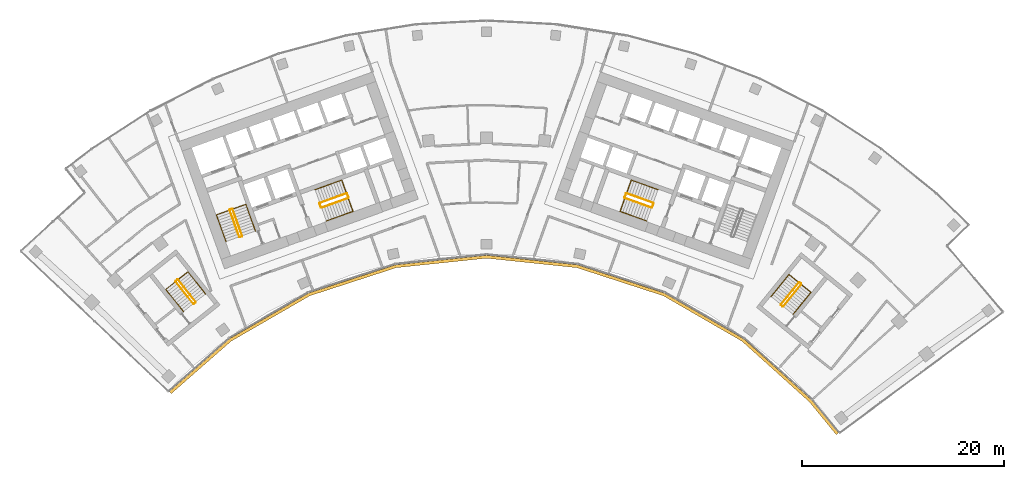
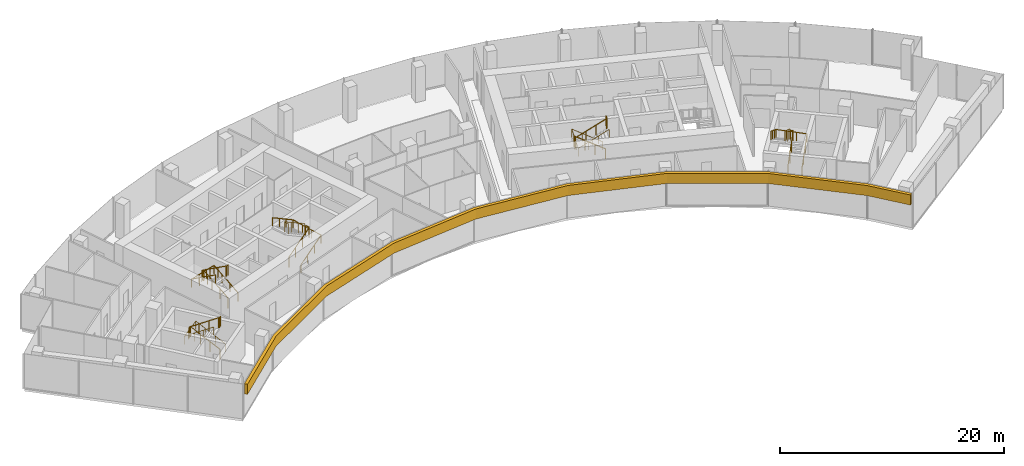
# One storey, part 18 of 19: 15 railings, 1 covering.
"""IFC4 building model written with IfcOpenShell, lengths in metres."""

from ifc_helpers import new_model, si_unit, direction, frame, origin, origin_2d, place, context, subcontext, project, spatial, polyline, circle, outline, extrude, material, layer, layer_set, type_object, element, save


model = new_model("IFC4")

# Units and contexts
model_context = context("Model", 3, precision=1e-05, world=origin(), true_north=direction((0.0, 1.0)))
body_context = subcontext(model_context, "Body", "Model", "MODEL_VIEW")
ifc_project = project(units=[si_unit("LENGTHUNIT", "METRE"), si_unit("AREAUNIT", "SQUARE_METRE"), si_unit("VOLUMEUNIT", "CUBIC_METRE"), si_unit("PLANEANGLEUNIT", "RADIAN"), si_unit("MASSUNIT", "GRAM", prefix="KILO")], contexts=[model_context])

# Site, building, storey
site_placement = place(None, origin())
site = spatial("IfcSite", under=ifc_project, at=site_placement, CompositionType="ELEMENT")
building_placement = place(site_placement, origin())
building = spatial("IfcBuilding", under=site, at=building_placement, Name="Stone Belt Terrace Tower", CompositionType="ELEMENT")
storey_placement = place(building_placement, frame((0.0, 0.0, 204.800048828125)))
storey = spatial("IfcBuildingStorey", under=building, at=storey_placement, Name="L49", CompositionType="ELEMENT", Elevation=204.800048828125)

# Railings
ifc_material_1 = material(Name="Structural steel C345", Category="steel")
railing_type_1 = type_object("IfcRailingType", Name="Stair guard 1100", PredefinedType="GUARDRAIL", material=ifc_material_1)
railing_1_placement = place(storey_placement, frame((-24.2119140625, 45.276123046875, 0.172607421875)))
element("IfcRailing", 1, at=railing_1_placement, inside=storey, type_object=railing_type_1, Name="L49 ST1A stair guard 1", PredefinedType="GUARDRAIL", context=body_context, shape_type="SweptSolid", body=[
    extrude(circle(Radius=0.02392578125, at=origin_2d()), frame((0.0, 0.0, 1.076171875), z_axis=(-0.288228637646, 0.800791768495, 0.525030280985), x_axis=(-0.940908529223, -0.338660803216, 0.0)), (0.0, 0.0, 1.0), 3.289794921875),
    extrude(circle(Radius=0.02392578125, at=origin_2d()), frame((-0.9482421875, 2.634521484375, 2.80322265625), z_axis=(-0.905209821074, 0.424964916, 0.0), x_axis=(-0.424964916, -0.905209821074, 0.0)), (0.0, 0.0, 1.0), 0.070556640625),
    extrude(circle(Radius=0.02392578125, at=origin_2d()), frame((-1.01220703125, 2.66455078125, 2.80322265625), z_axis=(-0.941105063269, -0.338114270461, 0.0), x_axis=(0.338114270461, -0.941105063269, 0.0)), (0.0, 0.0, 1.0), 0.199951171875),
    extrude(circle(Radius=0.02099609375, at=origin_2d()), origin(), (0.0, 0.0, 1.0), 1.052001953125),
    extrude(circle(Radius=0.02099609375, at=origin_2d()), frame((-0.316162109375, 0.878173828125, 0.57568359375)), (0.0, 0.0, 1.0), 1.052001953125),
    extrude(circle(Radius=0.02099609375, at=origin_2d()), frame((-0.632080078125, 1.75634765625, 1.151611328125)), (0.0, 0.0, 1.0), 1.052001953125),
    extrude(circle(Radius=0.02099609375, at=origin_2d()), frame((-0.9482421875, 2.634521484375, 1.727294921875)), (0.0, 0.0, 1.0), 1.052001953125),
    extrude(circle(Radius=0.02099609375, at=origin_2d()), frame((-1.01220703125, 2.66455078125, 1.727294921875)), (0.0, 0.0, 1.0), 1.052001953125),
    extrude(circle(Radius=0.02099609375, at=origin_2d()), frame((-1.200439453125, 2.596923828125, 1.727294921875)), (0.0, 0.0, 1.0), 1.052001953125),
])
railing_2_placement = place(storey_placement, frame((-25.4423828125, 47.80908203125, 2.07275390625)))
element("IfcRailing", 2, at=railing_2_placement, inside=storey, type_object=railing_type_1, Name="L49 ST1A stair guard 2", PredefinedType="GUARDRAIL", context=body_context, shape_type="SweptSolid", body=[
    extrude(circle(Radius=0.02392578125, at=origin_2d()), frame((0.0, 0.0, 1.076171875), z_axis=(0.288228637646, -0.800791768495, 0.525030280985), x_axis=(0.940908529223, 0.338660803216, 0.0)), (0.0, 0.0, 1.0), 3.289794921875),
    extrude(circle(Radius=0.02392578125, at=origin_2d()), frame((0.9482421875, -2.634521484375, 2.80322265625), z_axis=(0.903878284585, -0.427789722475, 0.0), x_axis=(0.427789722475, 0.903878284585, 0.0)), (0.0, 0.0, 1.0), 0.07080078125),
    extrude(circle(Radius=0.02392578125, at=origin_2d()), frame((1.01220703125, -2.664794921875, 2.80322265625), z_axis=(0.940575576748, 0.339584429008, 0.0), x_axis=(-0.339584429008, 0.940575576748, 0.0)), (0.0, 0.0, 1.0), 0.199951171875),
    extrude(circle(Radius=0.02099609375, at=origin_2d()), origin(), (0.0, 0.0, 1.0), 1.052001953125),
    extrude(circle(Radius=0.02099609375, at=origin_2d()), frame((0.316162109375, -0.878173828125, 0.57568359375)), (0.0, 0.0, 1.0), 1.052001953125),
    extrude(circle(Radius=0.02099609375, at=origin_2d()), frame((0.632080078125, -1.75634765625, 1.151611328125)), (0.0, 0.0, 1.0), 1.052001953125),
    extrude(circle(Radius=0.02099609375, at=origin_2d()), frame((0.9482421875, -2.634521484375, 1.727294921875)), (0.0, 0.0, 1.0), 1.052001953125),
    extrude(circle(Radius=0.02099609375, at=origin_2d()), frame((1.01220703125, -2.664794921875, 1.727294921875)), (0.0, 0.0, 1.0), 1.052001953125),
    extrude(circle(Radius=0.02099609375, at=origin_2d()), frame((1.2001953125, -2.596923828125, 1.727294921875)), (0.0, 0.0, 1.0), 1.052001953125),
])
railing_3_placement = place(storey_placement, frame((-16.33837890625, 48.056640625, 0.172607421875)))
element("IfcRailing", 3, at=railing_3_placement, inside=storey, type_object=railing_type_1, Name="L49 ST2A stair guard 1", PredefinedType="GUARDRAIL", context=body_context, shape_type="SweptSolid", body=[
    extrude(circle(Radius=0.02392578125, at=origin_2d()), frame((0.0, 0.0, 1.076171875), z_axis=(0.800808895155, 0.288160591223, 0.52504150989), x_axis=(-0.338583606334, 0.940936311087, 0.0)), (0.0, 0.0, 1.0), 3.289794921875),
    extrude(circle(Radius=0.02392578125, at=origin_2d()), frame((2.634521484375, 0.947998046875, 2.80322265625), z_axis=(0.427789722475, 0.903878284585, 0.0), x_axis=(-0.903878284585, 0.427789722475, 0.0)), (0.0, 0.0, 1.0), 0.07080078125),
    extrude(circle(Radius=0.02392578125, at=origin_2d()), frame((2.664794921875, 1.011962890625, 2.80322265625), z_axis=(-0.338654645739, 0.940910745459, 0.0), x_axis=(-0.940910745459, -0.338654645739, 0.0)), (0.0, 0.0, 1.0), 0.400146484375),
    extrude(circle(Radius=0.02099609375, at=origin_2d()), origin(), (0.0, 0.0, 1.0), 1.052001953125),
    extrude(circle(Radius=0.02099609375, at=origin_2d()), frame((0.878173828125, 0.31591796875, 0.57568359375)), (0.0, 0.0, 1.0), 1.052001953125),
    extrude(circle(Radius=0.02099609375, at=origin_2d()), frame((1.75634765625, 0.632080078125, 1.151611328125)), (0.0, 0.0, 1.0), 1.052001953125),
    extrude(circle(Radius=0.02099609375, at=origin_2d()), frame((2.634521484375, 0.947998046875, 1.727294921875)), (0.0, 0.0, 1.0), 1.052001953125),
    extrude(circle(Radius=0.02099609375, at=origin_2d()), frame((2.664794921875, 1.011962890625, 1.727294921875)), (0.0, 0.0, 1.0), 1.052001953125),
    extrude(circle(Radius=0.02099609375, at=origin_2d()), frame((2.529296875, 1.388427734375, 1.727294921875)), (0.0, 0.0, 1.0), 1.052001953125),
])
railing_4_placement = place(storey_placement, frame((-13.873046875, 49.47509765625, 2.07275390625)))
element("IfcRailing", 4, at=railing_4_placement, inside=storey, type_object=railing_type_1, Name="L49 ST2A stair guard 2", PredefinedType="GUARDRAIL", context=body_context, shape_type="SweptSolid", body=[
    extrude(circle(Radius=0.02392578125, at=origin_2d()), frame((0.0, 0.0, 1.076171875), z_axis=(-0.800808895155, -0.288160591223, 0.52504150989), x_axis=(0.338583606334, -0.940936311087, 0.0)), (0.0, 0.0, 1.0), 3.289794921875),
    extrude(circle(Radius=0.02392578125, at=origin_2d()), frame((-2.634521484375, -0.947998046875, 2.80322265625), z_axis=(-0.427789722475, -0.903878284585, 0.0), x_axis=(0.903878284585, -0.427789722475, 0.0)), (0.0, 0.0, 1.0), 0.07080078125),
    extrude(circle(Radius=0.02392578125, at=origin_2d()), frame((-2.664794921875, -1.011962890625, 2.80322265625), z_axis=(0.338654645739, -0.940910745459, 0.0), x_axis=(0.940910745459, 0.338654645739, 0.0)), (0.0, 0.0, 1.0), 0.400146484375),
    extrude(circle(Radius=0.02099609375, at=origin_2d()), origin(), (0.0, 0.0, 1.0), 1.052001953125),
    extrude(circle(Radius=0.02099609375, at=origin_2d()), frame((-0.878173828125, -0.31591796875, 0.57568359375)), (0.0, 0.0, 1.0), 1.052001953125),
    extrude(circle(Radius=0.02099609375, at=origin_2d()), frame((-1.75634765625, -0.632080078125, 1.151611328125)), (0.0, 0.0, 1.0), 1.052001953125),
    extrude(circle(Radius=0.02099609375, at=origin_2d()), frame((-2.634521484375, -0.947998046875, 1.727294921875)), (0.0, 0.0, 1.0), 1.052001953125),
    extrude(circle(Radius=0.02099609375, at=origin_2d()), frame((-2.664794921875, -1.011962890625, 1.727294921875)), (0.0, 0.0, 1.0), 1.052001953125),
    extrude(circle(Radius=0.02099609375, at=origin_2d()), frame((-2.529296875, -1.388427734375, 1.727294921875)), (0.0, 0.0, 1.0), 1.052001953125),
])
railing_5_placement = place(storey_placement, frame((16.507568359375, 48.527099609375, 0.172607421875)))
element("IfcRailing", 5, at=railing_5_placement, inside=storey, type_object=railing_type_1, Name="L49 ST2B stair guard 1", PredefinedType="GUARDRAIL", context=body_context, shape_type="SweptSolid", body=[
    extrude(circle(Radius=0.02392578125, at=origin_2d()), frame((0.0, 0.0, 1.076171875), z_axis=(-0.800808895155, 0.288160591223, 0.52504150989), x_axis=(-0.338583606334, -0.940936311087, 0.0)), (0.0, 0.0, 1.0), 3.289794921875),
    extrude(circle(Radius=0.02392578125, at=origin_2d()), frame((-2.634521484375, 0.947998046875, 2.80322265625), z_axis=(-0.905209821074, -0.424964916, 0.0), x_axis=(0.424964916, -0.905209821074, 0.0)), (0.0, 0.0, 1.0), 0.070556640625),
    extrude(circle(Radius=0.02392578125, at=origin_2d()), frame((-2.698486328125, 0.91796875, 2.80322265625), z_axis=(-0.338654645739, -0.940910745459, 0.0), x_axis=(0.940910745459, -0.338654645739, 0.0)), (0.0, 0.0, 1.0), 0.400146484375),
    extrude(circle(Radius=0.02099609375, at=origin_2d()), origin(), (0.0, 0.0, 1.0), 1.052001953125),
    extrude(circle(Radius=0.02099609375, at=origin_2d()), frame((-0.878173828125, 0.31591796875, 0.57568359375)), (0.0, 0.0, 1.0), 1.052001953125),
    extrude(circle(Radius=0.02099609375, at=origin_2d()), frame((-1.75634765625, 0.632080078125, 1.151611328125)), (0.0, 0.0, 1.0), 1.052001953125),
    extrude(circle(Radius=0.02099609375, at=origin_2d()), frame((-2.634521484375, 0.947998046875, 1.727294921875)), (0.0, 0.0, 1.0), 1.052001953125),
    extrude(circle(Radius=0.02099609375, at=origin_2d()), frame((-2.698486328125, 0.91796875, 1.727294921875)), (0.0, 0.0, 1.0), 1.052001953125),
    extrude(circle(Radius=0.02099609375, at=origin_2d()), frame((-2.833984375, 0.54150390625, 1.727294921875)), (0.0, 0.0, 1.0), 1.052001953125),
])
railing_6_placement = place(storey_placement, frame((13.703857421875, 49.004638671875, 2.07275390625)))
element("IfcRailing", 6, at=railing_6_placement, inside=storey, type_object=railing_type_1, Name="L49 ST2B stair guard 2", PredefinedType="GUARDRAIL", context=body_context, shape_type="SweptSolid", body=[
    extrude(circle(Radius=0.02392578125, at=origin_2d()), frame((0.0, 0.0, 1.076171875), z_axis=(0.800808895155, -0.288160591223, 0.52504150989), x_axis=(0.338583606334, 0.940936311087, 0.0)), (0.0, 0.0, 1.0), 3.289794921875),
    extrude(circle(Radius=0.02392578125, at=origin_2d()), frame((2.634521484375, -0.947998046875, 2.80322265625), z_axis=(0.905209821074, 0.424964916, 0.0), x_axis=(-0.424964916, 0.905209821074, 0.0)), (0.0, 0.0, 1.0), 0.070556640625),
    extrude(circle(Radius=0.02392578125, at=origin_2d()), frame((2.698486328125, -0.91796875, 2.80322265625), z_axis=(0.338654645739, 0.940910745459, 0.0), x_axis=(-0.940910745459, 0.338654645739, 0.0)), (0.0, 0.0, 1.0), 0.400146484375),
    extrude(circle(Radius=0.02099609375, at=origin_2d()), origin(), (0.0, 0.0, 1.0), 1.052001953125),
    extrude(circle(Radius=0.02099609375, at=origin_2d()), frame((0.878173828125, -0.31591796875, 0.57568359375)), (0.0, 0.0, 1.0), 1.052001953125),
    extrude(circle(Radius=0.02099609375, at=origin_2d()), frame((1.75634765625, -0.632080078125, 1.151611328125)), (0.0, 0.0, 1.0), 1.052001953125),
    extrude(circle(Radius=0.02099609375, at=origin_2d()), frame((2.634521484375, -0.947998046875, 1.727294921875)), (0.0, 0.0, 1.0), 1.052001953125),
    extrude(circle(Radius=0.02099609375, at=origin_2d()), frame((2.698486328125, -0.91796875, 1.727294921875)), (0.0, 0.0, 1.0), 1.052001953125),
    extrude(circle(Radius=0.02099609375, at=origin_2d()), frame((2.833984375, -0.54150390625, 1.727294921875)), (0.0, 0.0, 1.0), 1.052001953125),
])
railing_7_placement = place(storey_placement, frame((-28.814208984375, 38.734619140625, 0.172607421875)))
element("IfcRailing", 7, at=railing_7_placement, inside=storey, type_object=railing_type_1, Name="L49 ST3A stair guard 1", PredefinedType="GUARDRAIL", context=body_context, shape_type="SweptSolid", body=[
    extrude(circle(Radius=0.02392578125, at=origin_2d()), frame((0.0, 0.0, 1.076171875), z_axis=(-0.530306321799, 0.665665785969, 0.525037395288), x_axis=(-0.782143211408, -0.623098705543, 0.0)), (0.0, 0.0, 1.0), 3.289794921875),
    extrude(circle(Radius=0.02392578125, at=origin_2d()), frame((-1.74462890625, 2.18994140625, 2.80322265625), z_axis=(-0.993883734674, 0.110431526075, 0.0), x_axis=(-0.110431526075, -0.993883734674, 0.0)), (0.0, 0.0, 1.0), 0.07080078125),
    extrude(circle(Radius=0.02392578125, at=origin_2d()), frame((-1.81494140625, 2.19775390625, 2.80322265625), z_axis=(-0.782533463299, -0.622608527742, 0.0), x_axis=(0.622608527742, -0.782533463299, 0.0)), (0.0, 0.0, 1.0), 0.199951171875),
    extrude(circle(Radius=0.02099609375, at=origin_2d()), origin(), (0.0, 0.0, 1.0), 1.052001953125),
    extrude(circle(Radius=0.02099609375, at=origin_2d()), frame((-0.58154296875, 0.72998046875, 0.57568359375)), (0.0, 0.0, 1.0), 1.052001953125),
    extrude(circle(Radius=0.02099609375, at=origin_2d()), frame((-1.1630859375, 1.4599609375, 1.151611328125)), (0.0, 0.0, 1.0), 1.052001953125),
    extrude(circle(Radius=0.02099609375, at=origin_2d()), frame((-1.74462890625, 2.18994140625, 1.727294921875)), (0.0, 0.0, 1.0), 1.052001953125),
    extrude(circle(Radius=0.02099609375, at=origin_2d()), frame((-1.81494140625, 2.19775390625, 1.727294921875)), (0.0, 0.0, 1.0), 1.052001953125),
    extrude(circle(Radius=0.02099609375, at=origin_2d()), frame((-1.971435546875, 2.0732421875, 1.727294921875)), (0.0, 0.0, 1.0), 1.052001953125),
])
railing_8_placement = place(storey_placement, frame((-30.793701171875, 40.737548828125, 2.07275390625)))
element("IfcRailing", 8, at=railing_8_placement, inside=storey, type_object=railing_type_1, Name="L49 ST3A stair guard 2", PredefinedType="GUARDRAIL", context=body_context, shape_type="SweptSolid", body=[
    extrude(circle(Radius=0.02392578125, at=origin_2d()), frame((0.0, 0.0, 1.076171875), z_axis=(0.530359659125, -0.665639588968, 0.525016732659), x_axis=(0.782100716982, 0.62315204284, 0.0)), (0.0, 0.0, 1.0), 3.2900390625),
    extrude(circle(Radius=0.02392578125, at=origin_2d()), frame((1.744873046875, -2.18994140625, 2.80322265625), z_axis=(0.993499272973, -0.113838458361, 0.0), x_axis=(0.113838458361, 0.993499272973, 0.0)), (0.0, 0.0, 1.0), 0.07080078125),
    extrude(circle(Radius=0.02392578125, at=origin_2d()), frame((1.815185546875, -2.197998046875, 2.80322265625), z_axis=(0.781464082609, 0.623950228458, 0.0), x_axis=(-0.623950228458, 0.781464082609, 0.0)), (0.0, 0.0, 1.0), 0.199951171875),
    extrude(circle(Radius=0.02099609375, at=origin_2d()), origin(), (0.0, 0.0, 1.0), 1.052001953125),
    extrude(circle(Radius=0.02099609375, at=origin_2d()), frame((0.58154296875, -0.72998046875, 0.57568359375)), (0.0, 0.0, 1.0), 1.052001953125),
    extrude(circle(Radius=0.02099609375, at=origin_2d()), frame((1.163330078125, -1.4599609375, 1.151611328125)), (0.0, 0.0, 1.0), 1.052001953125),
    extrude(circle(Radius=0.02099609375, at=origin_2d()), frame((1.744873046875, -2.18994140625, 1.727294921875)), (0.0, 0.0, 1.0), 1.052001953125),
    extrude(circle(Radius=0.02099609375, at=origin_2d()), frame((1.815185546875, -2.197998046875, 1.727294921875)), (0.0, 0.0, 1.0), 1.052001953125),
    extrude(circle(Radius=0.02099609375, at=origin_2d()), frame((1.971435546875, -2.0732421875, 1.727294921875)), (0.0, 0.0, 1.0), 1.052001953125),
])
railing_9_placement = place(storey_placement, frame((29.39794921875, 38.281982421875, 0.172607421875)))
element("IfcRailing", 9, at=railing_9_placement, inside=storey, type_object=railing_type_1, Name="L49 ST3B stair guard 1", PredefinedType="GUARDRAIL", context=body_context, shape_type="SweptSolid", body=[
    extrude(circle(Radius=0.02392578125, at=origin_2d()), frame((0.0, 0.0, 1.076171875), z_axis=(0.536393061503, 0.660769759217, 0.525038864158), x_axis=(-0.776391310223, 0.630251166924, 0.0)), (0.0, 0.0, 1.0), 3.289794921875),
    extrude(circle(Radius=0.02392578125, at=origin_2d()), frame((1.7646484375, 2.173828125, 2.80322265625), z_axis=(-0.103251414163, 0.994655289773, 0.0), x_axis=(-0.994655289773, -0.103251414163, 0.0)), (0.0, 0.0, 1.0), 0.071044921875),
    extrude(circle(Radius=0.02392578125, at=origin_2d()), frame((1.75732421875, 2.244384765625, 2.80322265625), z_axis=(-0.776561986372, 0.630040856868, 0.0), x_axis=(-0.630040856868, -0.776561986372, 0.0)), (0.0, 0.0, 1.0), 0.199951171875),
    extrude(circle(Radius=0.02099609375, at=origin_2d()), origin(), (0.0, 0.0, 1.0), 1.052001953125),
    extrude(circle(Radius=0.02099609375, at=origin_2d()), frame((0.588134765625, 0.724609375, 0.57568359375)), (0.0, 0.0, 1.0), 1.052001953125),
    extrude(circle(Radius=0.02099609375, at=origin_2d()), frame((1.176513671875, 1.44921875, 1.151611328125)), (0.0, 0.0, 1.0), 1.052001953125),
    extrude(circle(Radius=0.02099609375, at=origin_2d()), frame((1.7646484375, 2.173828125, 1.727294921875)), (0.0, 0.0, 1.0), 1.052001953125),
    extrude(circle(Radius=0.02099609375, at=origin_2d()), frame((1.75732421875, 2.244384765625, 1.727294921875)), (0.0, 0.0, 1.0), 1.052001953125),
    extrude(circle(Radius=0.02099609375, at=origin_2d()), frame((1.60205078125, 2.370361328125, 1.727294921875)), (0.0, 0.0, 1.0), 1.052001953125),
])
railing_10_placement = place(storey_placement, frame((30.9296875, 40.64501953125, 2.07275390625)))
element("IfcRailing", 10, at=railing_10_placement, inside=storey, type_object=railing_type_1, Name="L49 ST3B stair guard 2", PredefinedType="GUARDRAIL", context=body_context, shape_type="SweptSolid", body=[
    extrude(circle(Radius=0.02392578125, at=origin_2d()), frame((0.0, 0.0, 1.076171875), z_axis=(-0.536366759382, -0.660811565066, 0.525013118792), x_axis=(0.776425942316, -0.630208502084, 0.0)), (0.0, 0.0, 1.0), 3.2900390625),
    extrude(circle(Radius=0.02392578125, at=origin_2d()), frame((-1.7646484375, -2.174072265625, 2.80322265625), z_axis=(0.103606084259, -0.994618408891, 0.0), x_axis=(0.994618408891, 0.103606084259, 0.0)), (0.0, 0.0, 1.0), 0.07080078125),
    extrude(circle(Radius=0.02392578125, at=origin_2d()), frame((-1.75732421875, -2.244384765625, 2.80322265625), z_axis=(0.776561986372, -0.630040856868, 0.0), x_axis=(0.630040856868, 0.776561986372, 0.0)), (0.0, 0.0, 1.0), 0.199951171875),
    extrude(circle(Radius=0.02099609375, at=origin_2d()), origin(), (0.0, 0.0, 1.0), 1.052001953125),
    extrude(circle(Radius=0.02099609375, at=origin_2d()), frame((-0.588134765625, -0.724609375, 0.57568359375)), (0.0, 0.0, 1.0), 1.052001953125),
    extrude(circle(Radius=0.02099609375, at=origin_2d()), frame((-1.176513671875, -1.449462890625, 1.151611328125)), (0.0, 0.0, 1.0), 1.052001953125),
    extrude(circle(Radius=0.02099609375, at=origin_2d()), frame((-1.7646484375, -2.174072265625, 1.727294921875)), (0.0, 0.0, 1.0), 1.052001953125),
    extrude(circle(Radius=0.02099609375, at=origin_2d()), frame((-1.75732421875, -2.244384765625, 1.727294921875)), (0.0, 0.0, 1.0), 1.052001953125),
    extrude(circle(Radius=0.02099609375, at=origin_2d()), frame((-1.60205078125, -2.370361328125, 1.727294921875)), (0.0, 0.0, 1.0), 1.052001953125),
])
railing_type_2 = type_object("IfcRailingType", Name="Stair handrail 900", PredefinedType="HANDRAIL", material=ifc_material_1)
railing_11_placement = place(storey_placement, frame((-22.894775390625, 45.750244140625, 0.172607421875)))
element("IfcRailing", 11, at=railing_11_placement, inside=storey, type_object=railing_type_2, Name="L49 ST1A stair handrail 1", PredefinedType="HANDRAIL", context=body_context, shape_type="SweptSolid", body=[
    extrude(circle(Radius=0.02392578125, at=origin_2d()), frame((0.0, 0.0, 0.8759765625), z_axis=(-0.288160591223, 0.800808895155, 0.52504150989), x_axis=(-0.940936311087, -0.338583606334, 0.0)), (0.0, 0.0, 1.0), 3.289794921875),
    extrude(circle(Radius=0.02392578125, at=origin_2d()), frame((-0.947998046875, 2.634521484375, 2.60302734375), z_axis=(-0.939460408074, -0.338105101667, 0.055669398135), x_axis=(0.338630230244, -0.940919532779, 0.0)), (0.0, 0.0, 1.0), 3.10498046875),
    extrude(circle(Radius=0.02392578125, at=origin_2d()), frame((-3.864990234375, 1.584716796875, 2.77587890625), z_axis=(0.288228637646, -0.800791768495, 0.525030280985), x_axis=(0.940908529223, 0.338660803216, 0.0)), (0.0, 0.0, 1.0), 3.289794921875),
    extrude(circle(Radius=0.02099609375, at=origin_2d()), origin(), (0.0, 0.0, 1.0), 0.851806640625),
    extrude(circle(Radius=0.02099609375, at=origin_2d()), frame((-0.31591796875, 0.878173828125, 0.57568359375)), (0.0, 0.0, 1.0), 0.851806640625),
    extrude(circle(Radius=0.02099609375, at=origin_2d()), frame((-0.632080078125, 1.75634765625, 1.151611328125)), (0.0, 0.0, 1.0), 0.851806640625),
    extrude(circle(Radius=0.02099609375, at=origin_2d()), frame((-0.947998046875, 2.634521484375, 1.727294921875)), (0.0, 0.0, 1.0), 0.851806640625),
    extrude(circle(Radius=0.02099609375, at=origin_2d()), frame((-1.92041015625, 2.28466796875, 1.784912109375)), (0.0, 0.0, 1.0), 0.851806640625),
    extrude(circle(Radius=0.02099609375, at=origin_2d()), frame((-2.892578125, 1.9345703125, 1.842529296875)), (0.0, 0.0, 1.0), 0.851806640625),
    extrude(circle(Radius=0.02099609375, at=origin_2d()), frame((-3.864990234375, 1.584716796875, 1.900146484375)), (0.0, 0.0, 1.0), 0.851806640625),
    extrude(circle(Radius=0.02099609375, at=origin_2d()), frame((-3.548828125, 0.70654296875, 2.475830078125)), (0.0, 0.0, 1.0), 0.851806640625),
    extrude(circle(Radius=0.02099609375, at=origin_2d()), frame((-3.23291015625, -0.171630859375, 3.0517578125)), (0.0, 0.0, 1.0), 0.851806640625),
    extrude(circle(Radius=0.02099609375, at=origin_2d()), frame((-2.916748046875, -1.0498046875, 3.62744140625)), (0.0, 0.0, 1.0), 0.851806640625),
])
railing_12_placement = place(storey_placement, frame((-15.8642578125, 46.7392578125, 0.172607421875)))
element("IfcRailing", 12, at=railing_12_placement, inside=storey, type_object=railing_type_2, Name="L49 ST2A stair handrail 1", PredefinedType="HANDRAIL", context=body_context, shape_type="SweptSolid", body=[
    extrude(circle(Radius=0.02392578125, at=origin_2d()), frame((0.0, 0.0, 0.8759765625), z_axis=(0.800791768495, 0.288228637646, 0.525030280985), x_axis=(-0.338660803216, 0.940908529223, 0.0)), (0.0, 0.0, 1.0), 3.289794921875),
    extrude(circle(Radius=0.02392578125, at=origin_2d()), frame((2.634521484375, 0.9482421875, 2.60302734375), z_axis=(-0.338158948057, 0.939634149308, 0.052308615955), x_axis=(-0.940922302781, -0.338622533404, 0.0)), (0.0, 0.0, 1.0), 3.304443359375),
    extrude(circle(Radius=0.02392578125, at=origin_2d()), frame((1.51708984375, 4.05322265625, 2.77587890625), z_axis=(-0.800791768495, -0.288228637646, 0.525030280985), x_axis=(0.338660803216, -0.940908529223, 0.0)), (0.0, 0.0, 1.0), 3.289794921875),
    extrude(circle(Radius=0.02099609375, at=origin_2d()), origin(), (0.0, 0.0, 1.0), 0.851806640625),
    extrude(circle(Radius=0.02099609375, at=origin_2d()), frame((0.878173828125, 0.316162109375, 0.57568359375)), (0.0, 0.0, 1.0), 0.851806640625),
    extrude(circle(Radius=0.02099609375, at=origin_2d()), frame((1.75634765625, 0.632080078125, 1.151611328125)), (0.0, 0.0, 1.0), 0.851806640625),
    extrude(circle(Radius=0.02099609375, at=origin_2d()), frame((2.634521484375, 0.9482421875, 1.727294921875)), (0.0, 0.0, 1.0), 0.851806640625),
    extrude(circle(Radius=0.02099609375, at=origin_2d()), frame((2.261962890625, 1.983154296875, 1.784912109375)), (0.0, 0.0, 1.0), 0.851806640625),
    extrude(circle(Radius=0.02099609375, at=origin_2d()), frame((1.8896484375, 3.018310546875, 1.842529296875)), (0.0, 0.0, 1.0), 0.851806640625),
    extrude(circle(Radius=0.02099609375, at=origin_2d()), frame((1.51708984375, 4.05322265625, 1.900146484375)), (0.0, 0.0, 1.0), 0.851806640625),
    extrude(circle(Radius=0.02099609375, at=origin_2d()), frame((0.638916015625, 3.737060546875, 2.475830078125)), (0.0, 0.0, 1.0), 0.851806640625),
    extrude(circle(Radius=0.02099609375, at=origin_2d()), frame((-0.2392578125, 3.421142578125, 3.0517578125)), (0.0, 0.0, 1.0), 0.851806640625),
    extrude(circle(Radius=0.02099609375, at=origin_2d()), frame((-1.117431640625, 3.10498046875, 3.62744140625)), (0.0, 0.0, 1.0), 0.851806640625),
])
railing_13_placement = place(storey_placement, frame((16.981689453125, 49.84423828125, 0.172607421875)))
element("IfcRailing", 13, at=railing_13_placement, inside=storey, type_object=railing_type_2, Name="L49 ST2B stair handrail 1", PredefinedType="HANDRAIL", context=body_context, shape_type="SweptSolid", body=[
    extrude(circle(Radius=0.02392578125, at=origin_2d()), frame((0.0, 0.0, 0.8759765625), z_axis=(-0.800791768495, 0.288228637646, 0.525030280985), x_axis=(-0.338660803216, -0.940908529223, 0.0)), (0.0, 0.0, 1.0), 3.289794921875),
    extrude(circle(Radius=0.02392578125, at=origin_2d()), frame((-2.634521484375, 0.9482421875, 2.60302734375), z_axis=(-0.338158948057, -0.939634149308, 0.052308615955), x_axis=(0.940922302781, -0.338622533404, 0.0)), (0.0, 0.0, 1.0), 3.304443359375),
    extrude(circle(Radius=0.02392578125, at=origin_2d()), frame((-3.751953125, -2.15673828125, 2.77587890625), z_axis=(0.800791768495, -0.288228637646, 0.525030280985), x_axis=(0.338660803216, 0.940908529223, 0.0)), (0.0, 0.0, 1.0), 3.289794921875),
    extrude(circle(Radius=0.02099609375, at=origin_2d()), origin(), (0.0, 0.0, 1.0), 0.851806640625),
    extrude(circle(Radius=0.02099609375, at=origin_2d()), frame((-0.878173828125, 0.316162109375, 0.57568359375)), (0.0, 0.0, 1.0), 0.851806640625),
    extrude(circle(Radius=0.02099609375, at=origin_2d()), frame((-1.75634765625, 0.632080078125, 1.151611328125)), (0.0, 0.0, 1.0), 0.851806640625),
    extrude(circle(Radius=0.02099609375, at=origin_2d()), frame((-2.634521484375, 0.9482421875, 1.727294921875)), (0.0, 0.0, 1.0), 0.851806640625),
    extrude(circle(Radius=0.02099609375, at=origin_2d()), frame((-3.007080078125, -0.086669921875, 1.784912109375)), (0.0, 0.0, 1.0), 0.851806640625),
    extrude(circle(Radius=0.02099609375, at=origin_2d()), frame((-3.37939453125, -1.121826171875, 1.842529296875)), (0.0, 0.0, 1.0), 0.851806640625),
    extrude(circle(Radius=0.02099609375, at=origin_2d()), frame((-3.751953125, -2.15673828125, 1.900146484375)), (0.0, 0.0, 1.0), 0.851806640625),
    extrude(circle(Radius=0.02099609375, at=origin_2d()), frame((-2.873779296875, -2.472900390625, 2.475830078125)), (0.0, 0.0, 1.0), 0.851806640625),
    extrude(circle(Radius=0.02099609375, at=origin_2d()), frame((-1.99560546875, -2.788818359375, 3.0517578125)), (0.0, 0.0, 1.0), 0.851806640625),
    extrude(circle(Radius=0.02099609375, at=origin_2d()), frame((-1.117431640625, -3.10498046875, 3.62744140625)), (0.0, 0.0, 1.0), 0.851806640625),
])
railing_14_placement = place(storey_placement, frame((-27.836669921875, 39.513427734375, 0.172607421875)))
element("IfcRailing", 14, at=railing_14_placement, inside=storey, type_object=railing_type_2, Name="L49 ST3A stair handrail 1", PredefinedType="HANDRAIL", context=body_context, shape_type="SweptSolid", body=[
    extrude(circle(Radius=0.02392578125, at=origin_2d()), frame((0.0, 0.0, 0.8759765625), z_axis=(-0.530306321799, 0.665665785969, 0.525037395288), x_axis=(-0.782143211408, -0.623098705543, 0.0)), (0.0, 0.0, 1.0), 3.289794921875),
    extrude(circle(Radius=0.02392578125, at=origin_2d()), frame((-1.74462890625, 2.18994140625, 2.60302734375), z_axis=(-0.78065703189, -0.621914732429, 0.061617076765), x_axis=(0.623098705543, -0.782143211408, 0.0)), (0.0, 0.0, 1.0), 2.80517578125),
    extrude(circle(Radius=0.02392578125, at=origin_2d()), frame((-3.9345703125, 0.4453125, 2.77587890625), z_axis=(0.530306321799, -0.665665785969, 0.525037395288), x_axis=(0.782143211408, 0.623098705543, 0.0)), (0.0, 0.0, 1.0), 3.289794921875),
    extrude(circle(Radius=0.02099609375, at=origin_2d()), origin(), (0.0, 0.0, 1.0), 0.851806640625),
    extrude(circle(Radius=0.02099609375, at=origin_2d()), frame((-0.58154296875, 0.72998046875, 0.57568359375)), (0.0, 0.0, 1.0), 0.851806640625),
    extrude(circle(Radius=0.02099609375, at=origin_2d()), frame((-1.1630859375, 1.4599609375, 1.151611328125)), (0.0, 0.0, 1.0), 0.851806640625),
    extrude(circle(Radius=0.02099609375, at=origin_2d()), frame((-1.74462890625, 2.18994140625, 1.727294921875)), (0.0, 0.0, 1.0), 0.851806640625),
    extrude(circle(Radius=0.02099609375, at=origin_2d()), frame((-2.474609375, 1.6083984375, 1.784912109375)), (0.0, 0.0, 1.0), 0.851806640625),
    extrude(circle(Radius=0.02099609375, at=origin_2d()), frame((-3.20458984375, 1.02685546875, 1.842529296875)), (0.0, 0.0, 1.0), 0.851806640625),
    extrude(circle(Radius=0.02099609375, at=origin_2d()), frame((-3.9345703125, 0.4453125, 1.900146484375)), (0.0, 0.0, 1.0), 0.851806640625),
    extrude(circle(Radius=0.02099609375, at=origin_2d()), frame((-3.35302734375, -0.28466796875, 2.475830078125)), (0.0, 0.0, 1.0), 0.851806640625),
    extrude(circle(Radius=0.02099609375, at=origin_2d()), frame((-2.771484375, -1.0146484375, 3.0517578125)), (0.0, 0.0, 1.0), 0.851806640625),
    extrude(circle(Radius=0.02099609375, at=origin_2d()), frame((-2.18994140625, -1.74462890625, 3.62744140625)), (0.0, 0.0, 1.0), 0.851806640625),
])
railing_15_placement = place(storey_placement, frame((30.36865234375, 37.494140625, 0.172607421875)))
element("IfcRailing", 15, at=railing_15_placement, inside=storey, type_object=railing_type_2, Name="L49 ST3B stair handrail 1", PredefinedType="HANDRAIL", context=body_context, shape_type="SweptSolid", body=[
    extrude(circle(Radius=0.02392578125, at=origin_2d()), frame((0.0, 0.0, 0.8759765625), z_axis=(0.536366759382, 0.660811565066, 0.525013118792), x_axis=(-0.776425942316, 0.630208502084, 0.0)), (0.0, 0.0, 1.0), 3.2900390625),
    extrude(circle(Radius=0.02392578125, at=origin_2d()), frame((1.7646484375, 2.174072265625, 2.60302734375), z_axis=(-0.774950814199, 0.629011171817, 0.061613158501), x_axis=(-0.630208502084, -0.776425942316, 0.0)), (0.0, 0.0, 1.0), 2.805419921875),
    extrude(circle(Radius=0.02392578125, at=origin_2d()), frame((-0.409423828125, 3.938720703125, 2.77587890625), z_axis=(-0.536366759382, -0.660811565066, 0.525013118792), x_axis=(0.776425942316, -0.630208502084, 0.0)), (0.0, 0.0, 1.0), 3.2900390625),
    extrude(circle(Radius=0.02099609375, at=origin_2d()), origin(), (0.0, 0.0, 1.0), 0.851806640625),
    extrude(circle(Radius=0.02099609375, at=origin_2d()), frame((0.588134765625, 0.724609375, 0.57568359375)), (0.0, 0.0, 1.0), 0.851806640625),
    extrude(circle(Radius=0.02099609375, at=origin_2d()), frame((1.176513671875, 1.449462890625, 1.151611328125)), (0.0, 0.0, 1.0), 0.851806640625),
    extrude(circle(Radius=0.02099609375, at=origin_2d()), frame((1.7646484375, 2.174072265625, 1.727294921875)), (0.0, 0.0, 1.0), 0.851806640625),
    extrude(circle(Radius=0.02099609375, at=origin_2d()), frame((1.0400390625, 2.76220703125, 1.784912109375)), (0.0, 0.0, 1.0), 0.851806640625),
    extrude(circle(Radius=0.02099609375, at=origin_2d()), frame((0.315185546875, 3.3505859375, 1.842529296875)), (0.0, 0.0, 1.0), 0.851806640625),
    extrude(circle(Radius=0.02099609375, at=origin_2d()), frame((-0.409423828125, 3.938720703125, 1.900146484375)), (0.0, 0.0, 1.0), 0.851806640625),
    extrude(circle(Radius=0.02099609375, at=origin_2d()), frame((-0.99755859375, 3.214111328125, 2.475830078125)), (0.0, 0.0, 1.0), 0.851806640625),
    extrude(circle(Radius=0.02099609375, at=origin_2d()), frame((-1.5859375, 2.4892578125, 3.0517578125)), (0.0, 0.0, 1.0), 0.851806640625),
    extrude(circle(Radius=0.02099609375, at=origin_2d()), frame((-2.174072265625, 1.7646484375, 3.62744140625)), (0.0, 0.0, 1.0), 0.851806640625),
])

# Covering
ifc_material_2 = material(Name="Terracotta coloured glazed ceramic", Category="masonry")
ifc_layer = layer(ifc_material_2, 0.300048828125)
ifc_layer_set = layer_set([ifc_layer], Name="Terracotta spandrel band 300 x 1100")
covering_type = type_object("IfcCoveringType", Name="Terracotta spandrel band 300 x 1100", PredefinedType="CLADDING", material=ifc_layer_set)
covering_placement = place(storey_placement, frame((0.0, 0.0, 2.699951171875)))
element("IfcCovering", 16, at=covering_placement, inside=storey, type_object=covering_type, Name="BAND L49", PredefinedType="CLADDING", context=body_context, shape_type="SweptSolid", body=[
    extrude(outline(polyline([(-31.434814453125, 29.851806640625), (-25.48095703125, 35.06982421875), (-17.631591796875, 39.6015625), (-9.0126953125, 42.40185546875), (0.0, 43.34912109375), (9.0126953125, 42.40185546875), (17.631591796875, 39.6015625), (25.47998046875, 35.0703125), (32.2177734375, 29.00341796875), (34.8720703125, 25.752197265625), (34.6396484375, 25.5625), (32.0, 28.7958984375), (25.302734375, 34.826171875), (17.509033203125, 39.325927734375), (8.9501953125, 42.10693359375), (0.0, 43.047607421875), (-8.9501953125, 42.10693359375), (-17.509033203125, 39.325927734375), (-25.305419921875, 34.82470703125), (-31.237060546875, 29.626220703125), (-31.434814453125, 29.851806640625)])), origin(), (0.0, 0.0, 1.0), 1.10009765625),
])

save(model, "model.ifc")
